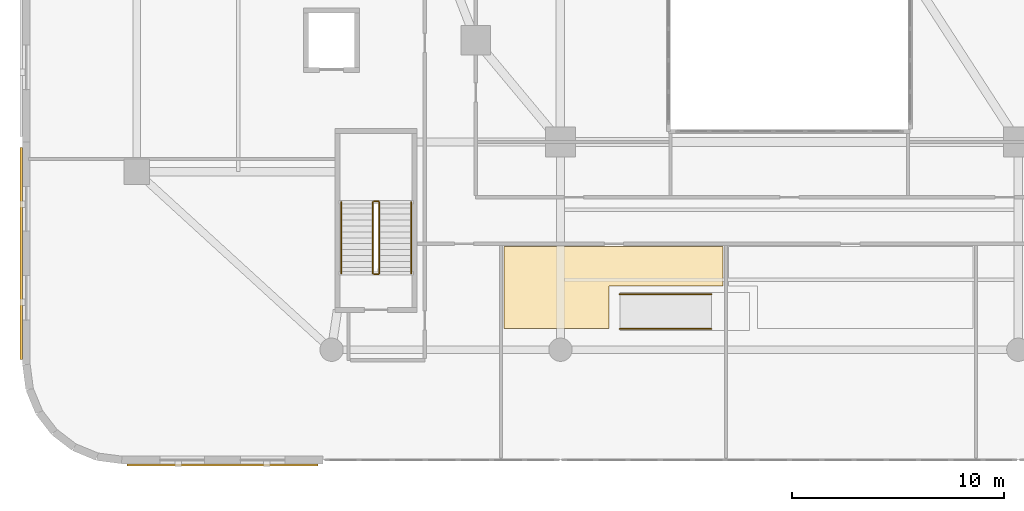
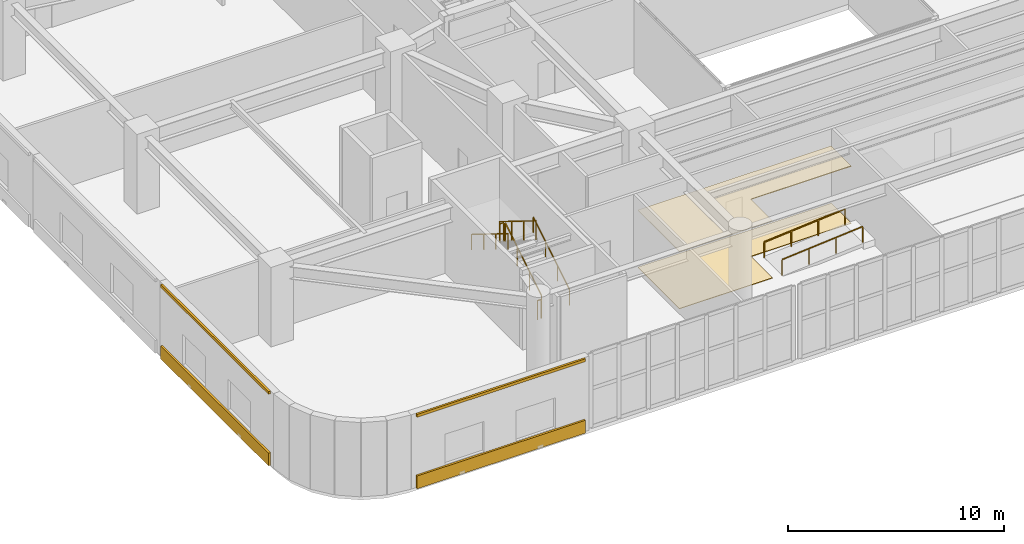
# One storey, part 19 of 25: 8 railings, 6 coverings.
"""IFC4 building model written with IfcOpenShell, lengths in metres."""

from ifc_helpers import new_model, si_unit, direction, frame, origin, origin_2d, place, context, subcontext, project, spatial, polyline, rectangle, outline, extrude, material, layer, layer_set, type_object, element, save


model = new_model("IFC4")

# Units and contexts
model_context = context("Model", 3, precision=1e-05, world=origin(), true_north=direction((0.0, 1.0)))
body_context = subcontext(model_context, "Body", "Model", "MODEL_VIEW")
ifc_project = project(units=[si_unit("LENGTHUNIT", "METRE"), si_unit("AREAUNIT", "SQUARE_METRE"), si_unit("VOLUMEUNIT", "CUBIC_METRE"), si_unit("PLANEANGLEUNIT", "RADIAN"), si_unit("MASSUNIT", "GRAM", prefix="KILO")], contexts=[model_context])

# Site, building, storey
site_placement = place(None, origin())
site = spatial("IfcSite", under=ifc_project, at=site_placement, CompositionType="ELEMENT")
building_placement = place(site_placement, origin())
building = spatial("IfcBuilding", under=site, at=building_placement, Name="Haldorwick Loom Tower", CompositionType="ELEMENT")
storey_placement = place(building_placement, frame((0.0, 0.0, 6.0)))
storey = spatial("IfcBuildingStorey", under=building, at=storey_placement, Name="L01", CompositionType="ELEMENT", Elevation=6.0)

# Coverings
ifc_material_1 = material(Name="Corbelled Pressed Clay Face Brick Veneer", Category="masonry")
ifc_layer_1 = layer(ifc_material_1, 0.110107421875, Name="Corbelled Pressed Clay Face Brick Veneer", Category="masonry")
ifc_layer_set_1 = layer_set([ifc_layer_1], Name="Corbelled Pressed Clay Face Brick Veneer")
covering_type_1 = type_object("IfcCoveringType", Name="ARC-COV-BRICK110", PredefinedType="CLADDING", material=ifc_layer_set_1)
covering_1_placement = place(storey_placement, origin())
element("IfcCovering", 1, at=covering_1_placement, inside=storey, type_object=covering_type_1, Name="L01 Sill Face-Brick Spandrel 31", PredefinedType="CLADDING", context=body_context, shape_type="SweptSolid", body=[
    extrude(outline(polyline([(-0.2900390625, 14.75), (-0.2900390625, 4.75), (-0.179931640625, 4.75), (-0.179931640625, 14.75), (-0.2900390625, 14.75)])), origin(), (0.0, 0.0, 1.0), 0.719970703125),
])
covering_2_placement = place(storey_placement, frame((0.0, 0.0, 4.0400390625)))
element("IfcCovering", 2, at=covering_2_placement, inside=storey, type_object=covering_type_1, Name="L01 Head Face-Brick Lintel Band 31", PredefinedType="CLADDING", context=body_context, shape_type="SweptSolid", body=[
    extrude(outline(polyline([(-0.2900390625, 14.75), (-0.2900390625, 4.75), (-0.179931640625, 4.75), (-0.179931640625, 14.75), (-0.2900390625, 14.75)])), origin(), (0.0, 0.0, 1.0), 0.159912109375),
])
covering_3_placement = place(storey_placement, origin())
element("IfcCovering", 3, at=covering_3_placement, inside=storey, type_object=covering_type_1, Name="L01 Sill Face-Brick Spandrel 38", PredefinedType="CLADDING", context=body_context, shape_type="SweptSolid", body=[
    extrude(outline(polyline([(4.75, -0.2900390625), (13.75, -0.2900390625), (13.75, -0.179931640625), (4.75, -0.179931640625), (4.75, -0.2900390625)])), origin(), (0.0, 0.0, 1.0), 0.719970703125),
])
covering_4_placement = place(storey_placement, frame((0.0, 0.0, 4.0400390625)))
element("IfcCovering", 4, at=covering_4_placement, inside=storey, type_object=covering_type_1, Name="L01 Head Face-Brick Lintel Band 38", PredefinedType="CLADDING", context=body_context, shape_type="SweptSolid", body=[
    extrude(outline(polyline([(4.75, -0.2900390625), (13.75, -0.2900390625), (13.75, -0.179931640625), (4.75, -0.179931640625), (4.75, -0.2900390625)])), origin(), (0.0, 0.0, 1.0), 0.159912109375),
])
ifc_material_2 = material(Name="Mineral Fibre Acoustic Ceiling Tile")
ifc_layer_2 = layer(ifc_material_2, 0.0400390625, Name="Mineral Fibre Acoustic Ceiling Tile")
ifc_layer_set_2 = layer_set([ifc_layer_2], Name="Mineral Fibre Acoustic Ceiling Tile")
covering_type_2 = type_object("IfcCoveringType", Name="ARC-COV-CEIL", PredefinedType="CEILING", material=ifc_layer_set_2)
covering_5_placement = place(storey_placement, frame((0.0, 0.0, 3.22509765625)))
element("IfcCovering", 5, at=covering_5_placement, inside=storey, type_object=covering_type_2, Name="L01 Acoustic Suspended Ceiling 1", PredefinedType="CEILING", context=body_context, shape_type="SweptSolid", body=[
    extrude(outline(polyline([(22.530029296875, 6.199951171875), (27.5, 6.199951171875), (27.5, 8.199951171875), (32.8701171875, 8.199951171875), (32.8701171875, 10.06005859375), (22.530029296875, 10.06005859375), (22.530029296875, 6.199951171875)])), origin(), (0.0, 0.0, 1.0), 0.039794921875),
])
ifc_material_3 = material(Name="Polished Aggregate Terrazzo Finish")
ifc_layer_3 = layer(ifc_material_3, 0.030029296875, Name="Polished Aggregate Terrazzo Finish")
ifc_layer_set_3 = layer_set([ifc_layer_3], Name="Polished Aggregate Terrazzo Finish")
covering_type_3 = type_object("IfcCoveringType", Name="ARC-COV-FLOOR", PredefinedType="FLOORING", material=ifc_layer_set_3)
covering_6_placement = place(storey_placement, origin())
element("IfcCovering", 6, at=covering_6_placement, inside=storey, type_object=covering_type_3, Name="L01 Floor Finish 1", PredefinedType="FLOORING", context=body_context, shape_type="SweptSolid", body=[
    extrude(outline(polyline([(22.530029296875, 6.199951171875), (27.5, 6.199951171875), (27.5, 8.199951171875), (32.8701171875, 8.199951171875), (32.8701171875, 10.06005859375), (22.530029296875, 10.06005859375), (22.530029296875, 6.199951171875)])), origin(), (0.0, 0.0, 1.0), 0.030029296875),
])

# Railings
ifc_material_4 = material(Name="Steel CSA G40.21 350W", Category="steel")
railing_type_1 = type_object("IfcRailingType", Name="ARC-RLG-GUARD112", PredefinedType="GUARDRAIL", material=ifc_material_4)
railing_1_placement = place(storey_placement, frame((16.64990234375, 8.800048828125, 0.173095703125)))
element("IfcRailing", 7, at=railing_1_placement, inside=storey, type_object=railing_type_1, Name="L01 ST-P1 stair guard 1", PredefinedType="GUARDRAIL", context=body_context, shape_type="SweptSolid", body=[
    extrude(rectangle(XDim=0.048095703125, YDim=0.048095703125, at=origin_2d()), frame((0.0, 0.0, 1.076171875), z_axis=(0.0, 0.850606129759, 0.525803396734), x_axis=(-1.0, 0.0, 0.0)), (0.0, 0.0, 1.0), 3.949951171875),
    extrude(rectangle(XDim=0.0419921875, YDim=0.0419921875, at=origin_2d()), origin(), (0.0, 0.0, 1.0), 1.052001953125),
    extrude(rectangle(XDim=0.0419921875, YDim=0.0419921875, at=origin_2d()), frame((0.0, 1.119873046875, 0.6923828125)), (0.0, 0.0, 1.0), 1.052001953125),
    extrude(rectangle(XDim=0.0419921875, YDim=0.0419921875, at=origin_2d()), frame((0.0, 2.239990234375, 1.384521484375)), (0.0, 0.0, 1.0), 1.052001953125),
    extrude(rectangle(XDim=0.0419921875, YDim=0.0419921875, at=origin_2d()), frame((0.0, 3.35986328125, 2.076904296875)), (0.0, 0.0, 1.0), 1.052001953125),
])
railing_2_placement = place(storey_placement, frame((16.60009765625, 12.2099609375, 2.25)))
element("IfcRailing", 8, at=railing_2_placement, inside=storey, type_object=railing_type_1, Name="L01 ST-P1 stair guard 2", PredefinedType="GUARDRAIL", context=body_context, shape_type="SweptSolid", body=[
    extrude(rectangle(XDim=0.048095703125, YDim=0.048095703125, at=origin_2d()), frame((0.0, 0.0, 1.076171875), z_axis=(-1.0, 0.0, 0.0), x_axis=(0.0, -1.0, 0.0)), (0.0, 0.0, 1.0), 0.2001953125),
    extrude(rectangle(XDim=0.0419921875, YDim=0.0419921875, at=origin_2d()), origin(), (0.0, 0.0, 1.0), 1.052001953125),
    extrude(rectangle(XDim=0.0419921875, YDim=0.0419921875, at=origin_2d()), frame((-0.2001953125, 0.0, 0.0)), (0.0, 0.0, 1.0), 1.052001953125),
])
railing_3_placement = place(storey_placement, frame((16.35009765625, 12.159912109375, 2.423095703125)))
element("IfcRailing", 9, at=railing_3_placement, inside=storey, type_object=railing_type_1, Name="L01 ST-P1 stair guard 3", PredefinedType="GUARDRAIL", context=body_context, shape_type="SweptSolid", body=[
    extrude(rectangle(XDim=0.048095703125, YDim=0.048095703125, at=origin_2d()), frame((0.0, 0.0, 1.076171875), z_axis=(0.0, -0.850606129759, 0.525803396734), x_axis=(1.0, 0.0, 0.0)), (0.0, 0.0, 1.0), 3.949951171875),
    extrude(rectangle(XDim=0.0419921875, YDim=0.0419921875, at=origin_2d()), origin(), (0.0, 0.0, 1.0), 1.052001953125),
    extrude(rectangle(XDim=0.0419921875, YDim=0.0419921875, at=origin_2d()), frame((0.0, -1.119873046875, 0.6923828125)), (0.0, 0.0, 1.0), 1.052001953125),
    extrude(rectangle(XDim=0.0419921875, YDim=0.0419921875, at=origin_2d()), frame((0.0, -2.239990234375, 1.384521484375)), (0.0, 0.0, 1.0), 1.052001953125),
    extrude(rectangle(XDim=0.0419921875, YDim=0.0419921875, at=origin_2d()), frame((0.0, -3.35986328125, 2.076904296875)), (0.0, 0.0, 1.0), 1.052001953125),
])
railing_4_placement = place(storey_placement, frame((16.60009765625, 8.75, 0.0)))
element("IfcRailing", 10, at=railing_4_placement, inside=storey, type_object=railing_type_1, Name="L01 ST-P1 stair guard 4", PredefinedType="GUARDRAIL", context=body_context, shape_type="SweptSolid", body=[
    extrude(rectangle(XDim=0.048095703125, YDim=0.048095703125, at=origin_2d()), frame((0.0, 0.0, 1.076171875), z_axis=(-1.0, 0.0, 0.0), x_axis=(0.0, -1.0, 0.0)), (0.0, 0.0, 1.0), 0.2001953125),
    extrude(rectangle(XDim=0.0419921875, YDim=0.0419921875, at=origin_2d()), origin(), (0.0, 0.0, 1.0), 1.052001953125),
    extrude(rectangle(XDim=0.0419921875, YDim=0.0419921875, at=origin_2d()), frame((-0.2001953125, 0.0, 0.0)), (0.0, 0.0, 1.0), 1.052001953125),
])
railing_type_2 = type_object("IfcRailingType", Name="ARC-RLG-HAND092", PredefinedType="HANDRAIL", material=ifc_material_4)
railing_5_placement = place(storey_placement, frame((18.14990234375, 8.800048828125, 0.173095703125)))
element("IfcRailing", 11, at=railing_5_placement, inside=storey, type_object=railing_type_2, Name="L01 ST-P1 stair handrail 1", PredefinedType="HANDRAIL", context=body_context, shape_type="SweptSolid", body=[
    extrude(rectangle(XDim=0.048095703125, YDim=0.048095703125, at=origin_2d()), frame((0.0, 0.0, 0.8759765625), z_axis=(0.0, 0.850606129759, 0.525803396734), x_axis=(-1.0, 0.0, 0.0)), (0.0, 0.0, 1.0), 3.949951171875),
    extrude(rectangle(XDim=0.0419921875, YDim=0.0419921875, at=origin_2d()), origin(), (0.0, 0.0, 1.0), 0.851806640625),
    extrude(rectangle(XDim=0.0419921875, YDim=0.0419921875, at=origin_2d()), frame((0.0, 1.119873046875, 0.6923828125)), (0.0, 0.0, 1.0), 0.851806640625),
    extrude(rectangle(XDim=0.0419921875, YDim=0.0419921875, at=origin_2d()), frame((0.0, 2.239990234375, 1.384521484375)), (0.0, 0.0, 1.0), 0.851806640625),
    extrude(rectangle(XDim=0.0419921875, YDim=0.0419921875, at=origin_2d()), frame((0.0, 3.35986328125, 2.076904296875)), (0.0, 0.0, 1.0), 0.851806640625),
])
railing_6_placement = place(storey_placement, frame((14.85009765625, 12.159912109375, 2.423095703125)))
element("IfcRailing", 12, at=railing_6_placement, inside=storey, type_object=railing_type_2, Name="L01 ST-P1 stair handrail 2", PredefinedType="HANDRAIL", context=body_context, shape_type="SweptSolid", body=[
    extrude(rectangle(XDim=0.048095703125, YDim=0.048095703125, at=origin_2d()), frame((0.0, 0.0, 0.8759765625), z_axis=(0.0, -0.850606129759, 0.525803396734), x_axis=(1.0, 0.0, 0.0)), (0.0, 0.0, 1.0), 3.949951171875),
    extrude(rectangle(XDim=0.0419921875, YDim=0.0419921875, at=origin_2d()), origin(), (0.0, 0.0, 1.0), 0.851806640625),
    extrude(rectangle(XDim=0.0419921875, YDim=0.0419921875, at=origin_2d()), frame((0.0, -1.119873046875, 0.6923828125)), (0.0, 0.0, 1.0), 0.851806640625),
    extrude(rectangle(XDim=0.0419921875, YDim=0.0419921875, at=origin_2d()), frame((0.0, -2.239990234375, 1.384521484375)), (0.0, 0.0, 1.0), 0.851806640625),
    extrude(rectangle(XDim=0.0419921875, YDim=0.0419921875, at=origin_2d()), frame((0.0, -3.35986328125, 2.076904296875)), (0.0, 0.0, 1.0), 0.851806640625),
])
for number, where, name in (
    (13, (28.0, 6.179931640625, 0.0), "RMP-06 Ramp Handrail 1"),
    (14, (28.0, 7.820068359375, 0.0), "RMP-06 Ramp Handrail 2"),
):
    element("IfcRailing", number, at=place(storey_placement, frame(where)), inside=storey, type_object=railing_type_2, Name=name, PredefinedType="HANDRAIL", context=body_context, shape_type="SweptSolid", body=[
        extrude(rectangle(XDim=0.048095703125, YDim=0.048095703125, at=origin_2d()), frame((0.0, 0.0, 0.89599609375), z_axis=(0.996543815979, 0.0, 0.083068783756), x_axis=(0.0, 1.0, 0.0)), (0.0, 0.0, 1.0), 4.3349609375),
        extrude(rectangle(XDim=0.0419921875, YDim=0.0419921875, at=origin_2d()), origin(), (0.0, 0.0, 1.0), 0.871826171875),
        extrude(rectangle(XDim=0.0419921875, YDim=0.0419921875, at=origin_2d()), frame((1.43994140625, 0.0, 0.1201171875)), (0.0, 0.0, 1.0), 0.871826171875),
        extrude(rectangle(XDim=0.0419921875, YDim=0.0419921875, at=origin_2d()), frame((2.880126953125, 0.0, 0.239990234375)), (0.0, 0.0, 1.0), 0.871826171875),
        extrude(rectangle(XDim=0.0419921875, YDim=0.0419921875, at=origin_2d()), frame((4.320068359375, 0.0, 0.360107421875)), (0.0, 0.0, 1.0), 0.871826171875),
    ])

save(model, "model.ifc")
